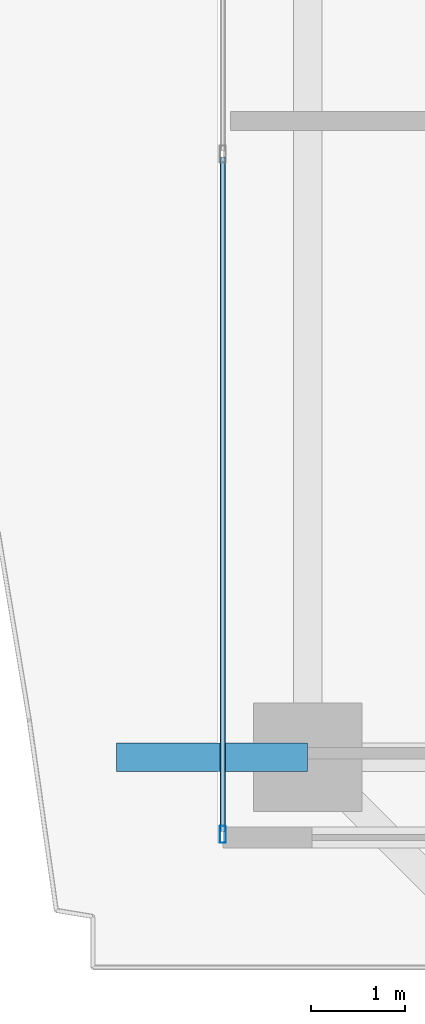
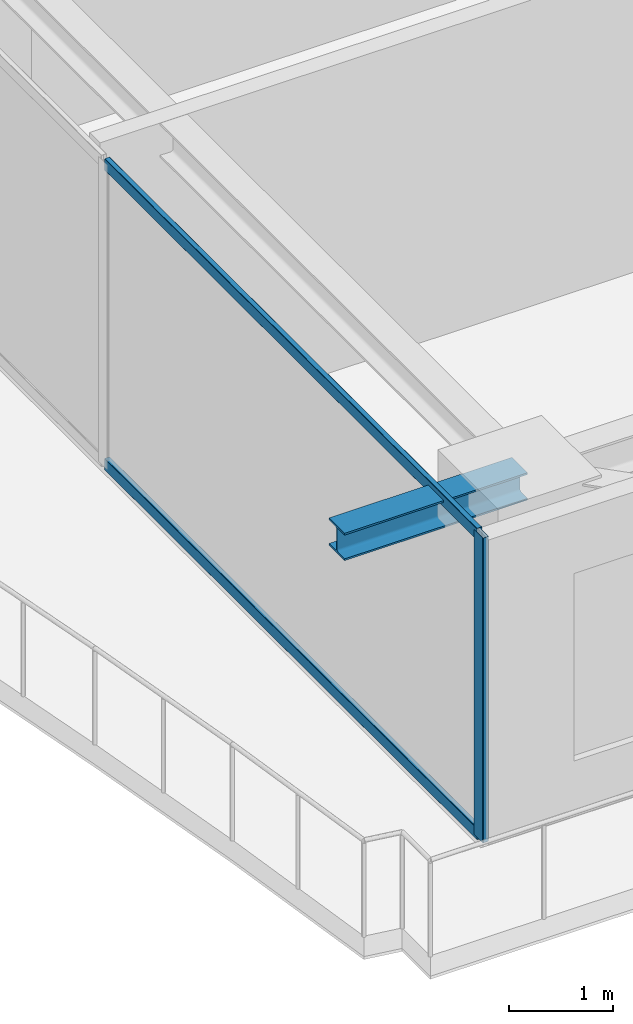
# One storey, part 3 of 36: 3 members, 1 beam, 1 element without a shape of its own.
"""IFC4 building model written with IfcOpenShell, lengths in metres."""

from ifc_helpers import new_model, si_unit, direction, frame, origin, origin_2d, place, context, subcontext, project, spatial, hollow_rectangle, i_section, extrude, source, transform, mapped, material, layer, layer_set, material_profile, profile_set, type_object, element, aggregate, save


model = new_model("IFC4")

# Units and contexts
model_context = context("Model", 3, precision=1e-05, world=origin(), true_north=direction((0.0, 1.0)))
body_context = subcontext(model_context, "Body", "Model", "MODEL_VIEW")
ifc_project = project(units=[si_unit("LENGTHUNIT", "METRE"), si_unit("AREAUNIT", "SQUARE_METRE"), si_unit("VOLUMEUNIT", "CUBIC_METRE"), si_unit("PLANEANGLEUNIT", "RADIAN"), si_unit("MASSUNIT", "GRAM", prefix="KILO")], contexts=[model_context])

# Site, building, storey
site_placement = place(None, origin())
site = spatial("IfcSite", under=ifc_project, at=site_placement, CompositionType="ELEMENT")
building_placement = place(site_placement, origin())
building = spatial("IfcBuilding", under=site, at=building_placement, Name="Serunith Strait Residences", CompositionType="ELEMENT")
storey_placement = place(building_placement, frame((0.0, 0.0, 256.64990234375)))
storey = spatial("IfcBuildingStorey", under=building, at=storey_placement, Name="L64", CompositionType="ELEMENT", Elevation=256.64990234375)

# Beam
ifc_material_1 = material(Name="Steel S355J2", Category="steel")
ifc_material_profile_1 = material_profile(ifc_material_1, i_section(OverallWidth=0.300048828125, OverallDepth=0.320068359375, WebThickness=0.011474609375, FlangeThickness=0.0205078125, FilletRadius=0.027099609375, at=origin_2d()), Name="HEB 320")
ifc_profile_set_1 = profile_set([ifc_material_profile_1], Name="Steel S355J2")
beam_type = type_object("IfcBeamType", Name="BM-HEB320", PredefinedType="BEAM", material=ifc_profile_set_1)
shared_shape_1 = source(origin(), body_context, "Body", "SweptSolid", [
    extrude(i_section(OverallWidth=0.300048828125, OverallDepth=0.320068359375, WebThickness=0.011474609375, FlangeThickness=0.0205078125, FilletRadius=0.027099609375, at=origin_2d()), origin(), (0.0, 0.0, 1.0), 2.030029296875),
])
beam_placement = place(storey_placement, frame((8.300048828125, 10.050048828125, 3.397216796875), z_axis=(-1.0, 0.0, 0.0), x_axis=(0.0, -1.0, 0.0)))
element("IfcBeam", 1, at=beam_placement, inside=storey, type_object=beam_type, Name="L65 Cantilevered Balcony Rib TC-W1", PredefinedType="BEAM", context=body_context, shape_type="MappedRepresentation", body=[
    mapped(shared_shape_1, transform((0.0, 0.0, 0.0), scale=1.0)),
])

# Curtain wall, members
ifc_material_2 = material(Name="Pale-Champagne Anodised Aluminium", Category="aluminium")
ifc_layer = layer(ifc_material_2, 0.199951171875, Name="Pale-Champagne Anodised Aluminium")
ifc_layer_set = layer_set([ifc_layer], Name="Pale-Champagne Anodised Aluminium")
curtain_wall_type = type_object("IfcCurtainWallType", Name="CW-SYS4", PredefinedType="NOTDEFINED", material=ifc_layer_set)
curtain_wall_placement = place(storey_placement, origin())
curtain_wall = element("IfcCurtainWall", 2, at=curtain_wall_placement, inside=storey, type_object=curtain_wall_type, Name="L64 W Unitised Fritted Curtain Wall", PredefinedType="NOTDEFINED")
ifc_material_profile_2 = material_profile(ifc_material_2, hollow_rectangle(XDim=0.06005859375, YDim=0.139892578125, WallThickness=0.00341796875, InnerFilletRadius=0.00537109375, OuterFilletRadius=0.0087890625, at=origin_2d()), Name="ALU 140x60x3.5")
ifc_profile_set_2 = profile_set([ifc_material_profile_2], Name="Pale-Champagne Anodised Aluminium")
member_type_1 = type_object("IfcMemberType", Name="CW-SYS4-TRAN", PredefinedType="USERDEFINED", material=ifc_profile_set_2)
shared_shape_2 = source(origin(), body_context, "Body", "SweptSolid", [
    extrude(hollow_rectangle(XDim=0.06005859375, YDim=0.139892578125, WallThickness=0.00341796875, InnerFilletRadius=0.00537109375, OuterFilletRadius=0.0087890625, at=origin_2d()), origin(), (0.0, 0.0, 1.0), 7.152587890625),
])
member_1_placement = place(storey_placement, frame((7.39990234375, 16.41748046875, 0.030029296875), z_axis=(0.0, -1.0, 0.0), x_axis=(1.0, 0.0, 0.0)))
member_1 = element("IfcMember", 3, at=member_1_placement, type_object=member_type_1, Name="CW-4 transom 2.1", ObjectType="TRANSOM", PredefinedType="USERDEFINED", context=body_context, shape_type="MappedRepresentation", body=[
    mapped(shared_shape_2, transform((0.0, 0.0, 0.0), scale=1.0)),
])
member_2_placement = place(storey_placement, frame((7.39990234375, 16.41748046875, 3.545166015625), z_axis=(0.0, -1.0, 0.0), x_axis=(1.0, 0.0, 0.0)))
member_2 = element("IfcMember", 4, at=member_2_placement, type_object=member_type_1, Name="CW-4 transom 2.2", ObjectType="TRANSOM", PredefinedType="USERDEFINED", context=body_context, shape_type="MappedRepresentation", body=[
    mapped(shared_shape_2, transform((0.0, 0.0, 0.0), scale=1.0)),
])
ifc_material_profile_3 = material_profile(ifc_material_2, hollow_rectangle(XDim=0.06494140625, YDim=0.179931640625, WallThickness=0.00341796875, InnerFilletRadius=0.00537109375, OuterFilletRadius=0.0087890625, at=origin_2d()), Name="ALU 180x65x3.5")
ifc_profile_set_3 = profile_set([ifc_material_profile_3], Name="Pale-Champagne Anodised Aluminium")
member_type_2 = type_object("IfcMemberType", Name="CW-SYS4-MULL", PredefinedType="MULLION", material=ifc_profile_set_3)
shared_shape_3 = source(origin(), body_context, "Body", "SweptSolid", [
    extrude(hollow_rectangle(XDim=0.06494140625, YDim=0.179931640625, WallThickness=0.00341796875, InnerFilletRadius=0.00537109375, OuterFilletRadius=0.0087890625, at=origin_2d()), origin(), (0.0, 0.0, 1.0), 3.5751953125),
])
member_3_placement = place(storey_placement, frame((7.39990234375, 9.232421875, 0.0), z_axis=(0.0, 0.0, 1.0), x_axis=(1.0, 0.0, 0.0)))
member_3 = element("IfcMember", 5, at=member_3_placement, type_object=member_type_2, Name="CW-4 mullion 3", PredefinedType="MULLION", context=body_context, shape_type="MappedRepresentation", body=[
    mapped(shared_shape_3, transform((0.0, 0.0, 0.0), scale=1.0)),
])
aggregate(curtain_wall, [member_3, member_1, member_2])

save(model, "model.ifc")
